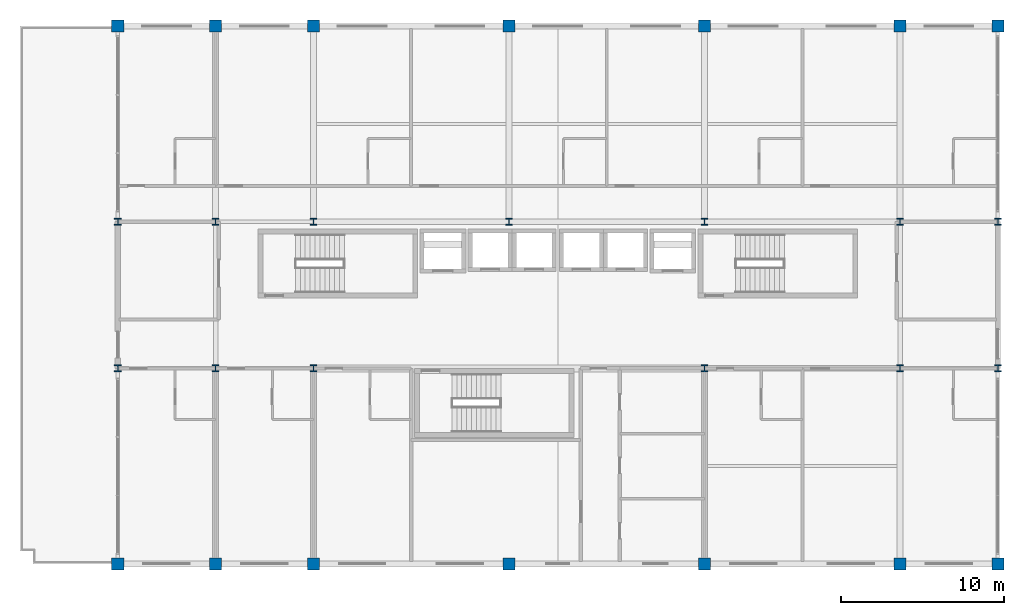
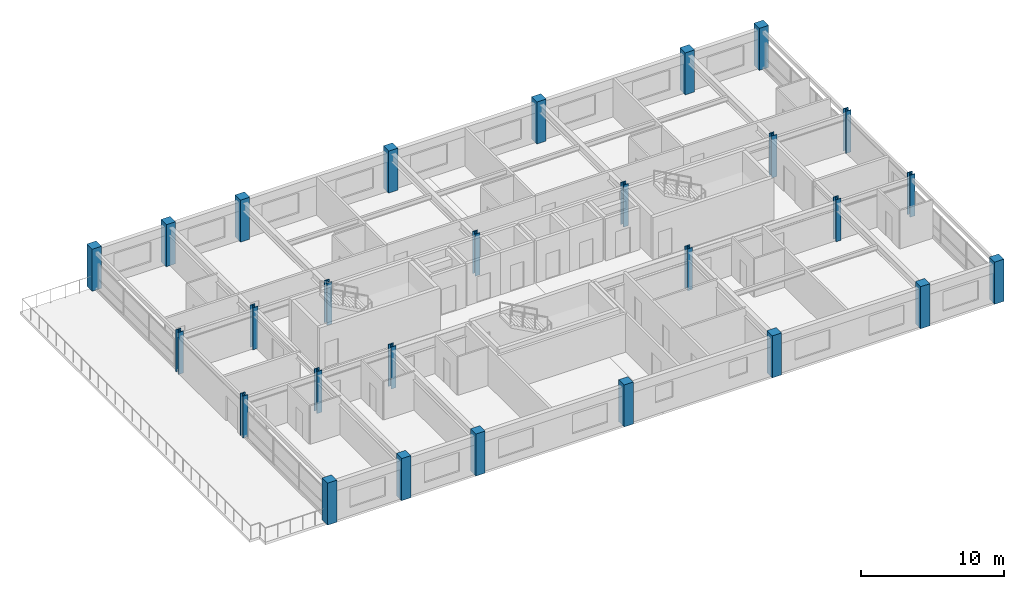
# One storey, part 1 of 21: 27 columns.
"""IFC4 building model written with IfcOpenShell, lengths in metres."""

import ifcopenshell
import ifcopenshell.guid

model = None  # the IFC model being written
_history = None  # IfcOwnerHistory: only IFC2X3 demands one
_inside = {}  # id of a spatial element -> (the spatial element, [elements in it])
_under = {}  # id of a project, library or spatial element -> (it, [spatial elements below it])
_declared = {}  # id of a project -> (the project, [libraries it declares])
_typed = {}  # id of a type object -> (the type object, [elements of that type])
_made_of = {}  # id of a material, layer set ... -> (it, [elements and type objects made of it])


def new_model(schema):
    """Start an empty IFC model of exactly this schema.

    Asked for "IFC4X3", IfcOpenShell would pick the latest addendum, in which some entities
    have other attributes; the version numbers below select the first issue.
    IFC2X3 requires an IfcOwnerHistory on every rooted entity: one is made here for all.
    """
    global model, _history
    if schema == "IFC4X3":
        model = ifcopenshell.file(schema_version=(4, 3, 0, 0))
    else:
        model = ifcopenshell.file(schema=schema)
    _inside.clear()
    _under.clear()
    _declared.clear()
    _typed.clear()
    _made_of.clear()
    _history = None
    if model.schema == "IFC2X3":
        org = make("IfcOrganization", Name="unknown")
        user = make(
            "IfcPersonAndOrganization",
            ThePerson=make("IfcPerson", FamilyName="unknown"),
            TheOrganization=org,
        )
        app = make(
            "IfcApplication",
            ApplicationDeveloper=org,
            Version="unknown",
            ApplicationFullName="unknown",
            ApplicationIdentifier="unknown",
        )
        _history = make(
            "IfcOwnerHistory",
            OwningUser=user,
            OwningApplication=app,
            ChangeAction="ADDED",
            CreationDate=0,
        )
    return model


def make(cls, **values):
    """One entity of the class cls with the attributes given. An attribute that is None is left unset."""
    return model.create_entity(
        cls, **{name: value for name, value in values.items() if value is not None}
    )


def rooted(cls, **values):
    """An entity with a GlobalId (a new one), such as an element, a storey or a relation."""
    return make(cls, GlobalId=ifcopenshell.guid.new(), OwnerHistory=_history, **values)


def si_unit(unit_type, name, prefix=None):
    """IfcSIUnit, for example si_unit("LENGTHUNIT", "METRE", prefix="MILLI")."""
    return make("IfcSIUnit", UnitType=unit_type, Prefix=prefix, Name=name)


def assignment(units):
    """IfcUnitAssignment: the units of a project."""
    return None if units is None else make("IfcUnitAssignment", Units=units)


def point(xyz):
    """IfcCartesianPoint."""
    return None if xyz is None else make("IfcCartesianPoint", Coordinates=xyz)


def direction(xyz):
    """IfcDirection."""
    return None if xyz is None else make("IfcDirection", DirectionRatios=xyz)


def frame(location, z_axis=None, x_axis=None):
    """IfcAxis2Placement3D, a coordinate frame: its origin and axes. An axis left out is left unset."""
    return make(
        "IfcAxis2Placement3D",
        Location=point(location),
        Axis=direction(z_axis),
        RefDirection=direction(x_axis),
    )


def frame_2d(location, x_axis=None):
    """IfcAxis2Placement2D, a coordinate frame in the plane: its origin and x axis."""
    return make(
        "IfcAxis2Placement2D", Location=point(location), RefDirection=direction(x_axis)
    )


def origin():
    """The frame at (0, 0, 0) with its axes left unset."""
    return frame((0.0, 0.0, 0.0))


def origin_2d():
    """The frame at (0, 0) in the plane with its x axis left unset."""
    return frame_2d((0.0, 0.0))


def place(relative_to, where):
    """IfcLocalPlacement: puts the frame where relative to a parent placement (None: the world)."""
    return make(
        "IfcLocalPlacement", PlacementRelTo=relative_to, RelativePlacement=where
    )


def context(
    kind, dimensions, precision=None, world=None, true_north=None, identifier=None
):
    """IfcGeometricRepresentationContext, for example the 3D "Model" context."""
    return make(
        "IfcGeometricRepresentationContext",
        ContextIdentifier=identifier,
        ContextType=kind,
        CoordinateSpaceDimension=dimensions,
        Precision=precision,
        WorldCoordinateSystem=world,
        TrueNorth=true_north,
    )


def subcontext(parent, identifier, kind, view, scale=None):
    """IfcGeometricRepresentationSubContext, for example "Body" below "Model"."""
    return make(
        "IfcGeometricRepresentationSubContext",
        ContextIdentifier=identifier,
        ContextType=kind,
        ParentContext=parent,
        TargetScale=scale,
        TargetView=view,
    )


def project(units=None, contexts=None):
    """IfcProject with its units and contexts."""
    return rooted(
        "IfcProject",
        Name="project",
        RepresentationContexts=contexts,
        UnitsInContext=assignment(units),
    )


def spatial(cls, under=None, at=None, **own):
    """A site, building, storey or space (cls), placed at a placement, below another one or the project."""
    s = rooted(cls, ObjectPlacement=at, **own)
    if under is not None:
        _under.setdefault(under.id(), (under, []))[1].append(s)
    return s


def profile(cls, at=None, kind="AREA", **sizes):
    """A parametric profile (cls). Its sizes go by their IFC names, for example OverallWidth=200.0."""
    return make(cls, ProfileType=kind, Position=at, **sizes)


def rectangle(**sizes):
    """IfcRectangleProfileDef."""
    return profile("IfcRectangleProfileDef", **sizes)


def i_section(**sizes):
    """IfcIShapeProfileDef."""
    return profile("IfcIShapeProfileDef", **sizes)


def extrude(swept, where, along, depth):
    """IfcExtrudedAreaSolid: the profile swept, set in the frame where, extruded along a direction by depth."""
    return make(
        "IfcExtrudedAreaSolid",
        SweptArea=swept,
        Position=where,
        ExtrudedDirection=direction(along),
        Depth=depth,
    )


def shape(context_of_items, identifier, shape_type, items):
    """IfcShapeRepresentation: the items that make up one representation, for example the "Body"."""
    return make(
        "IfcShapeRepresentation",
        ContextOfItems=context_of_items,
        RepresentationIdentifier=identifier,
        RepresentationType=shape_type,
        Items=items,
    )


def material(Name=None, Category=None):
    """IfcMaterial."""
    return make("IfcMaterial", Name=Name, Category=Category)


def material_profile(
    of_material, cross_section, Name=None, Category=None, Priority=None
):
    """IfcMaterialProfile: a cross section and its material."""
    return make(
        "IfcMaterialProfile",
        Name=Name,
        Material=of_material,
        Profile=cross_section,
        Priority=Priority,
        Category=Category,
    )


def profile_set(profiles, Name=None, composite=None):
    """IfcMaterialProfileSet."""
    return make(
        "IfcMaterialProfileSet",
        Name=Name,
        MaterialProfiles=profiles,
        CompositeProfile=composite,
    )


def made_of(thing, what):
    """Note that an element or type object is made of a material, layer set ...; save() writes the relation."""
    if what is not None:
        _made_of.setdefault(what.id(), (what, []))[1].append(thing)
    return thing


def type_object(cls, material=None, **own):
    """A type object (cls), such as IfcWallType, which elements share."""
    return made_of(rooted(cls, **own), material)


def element(
    cls,
    number,
    at=None,
    inside=None,
    cuts=None,
    type_object=None,
    material=None,
    context=None,
    identifier="Body",
    shape_type=None,
    held_by="IfcProductDefinitionShape",
    body=None,
    shapes=None,
    **own,
):
    """One element of the class cls, such as IfcWall. Its Tag is "e" and its number.

    at: its placement. inside: the storey or other place that contains it. cuts: it is an
    opening in that element (IfcRelVoidsElement). A single representation is given by context,
    identifier, shape_type and body (its items); several are given by shapes. held_by: the class
    of the entity that holds the representations. save() writes the other relations.
    """
    e = rooted(cls, Tag="e%d" % number, ObjectPlacement=at, **own)
    if body is not None:
        shapes = [shape(context, identifier, shape_type, body)]
    if shapes is not None:
        e.Representation = make(held_by, Representations=shapes)
    if inside is not None:
        _inside.setdefault(inside.id(), (inside, []))[1].append(e)
    if cuts is not None:
        rooted(
            "IfcRelVoidsElement", RelatingBuildingElement=cuts, RelatedOpeningElement=e
        )
    if type_object is not None:
        _typed.setdefault(type_object.id(), (type_object, []))[1].append(e)
    return made_of(e, material)


def aggregate(whole, parts):
    """IfcRelAggregates: a whole, such as a stair, and the parts it consists of."""
    return rooted("IfcRelAggregates", RelatingObject=whole, RelatedObjects=parts)


def save(model, path):
    """Write the relations noted so far, then the file.

    IfcRelAggregates (storeys below a building ...), IfcRelContainedInSpatialStructure (elements
    in a storey), IfcRelDefinesByType, IfcRelAssociatesMaterial and IfcRelDeclares: one each for
    every whole, place, type object, material and project.
    """
    for whole, parts in _under.values():
        aggregate(whole, parts)
    for where, things in _inside.values():
        rooted(
            "IfcRelContainedInSpatialStructure",
            RelatedElements=things,
            RelatingStructure=where,
        )
    for kind, things in _typed.values():
        rooted("IfcRelDefinesByType", RelatedObjects=things, RelatingType=kind)
    for what, things in _made_of.values():
        rooted("IfcRelAssociatesMaterial", RelatedObjects=things, RelatingMaterial=what)
    for by, libraries in _declared.values():
        rooted("IfcRelDeclares", RelatingContext=by, RelatedDefinitions=libraries)
    model.write(path)


model = new_model("IFC4")

# Units and contexts
model_context = context("Model", 3, precision=1e-05, world=origin(), true_north=direction((0.0, 1.0)))
body_context = subcontext(model_context, "Body", "Model", "MODEL_VIEW")
ifc_project = project(units=[si_unit("LENGTHUNIT", "METRE"), si_unit("AREAUNIT", "SQUARE_METRE"), si_unit("VOLUMEUNIT", "CUBIC_METRE"), si_unit("PLANEANGLEUNIT", "RADIAN"), si_unit("MASSUNIT", "GRAM", prefix="KILO")], contexts=[model_context])

# Site, building, storey
site_placement = place(None, origin())
site = spatial("IfcSite", under=ifc_project, at=site_placement, CompositionType="ELEMENT")
building_placement = place(site_placement, origin())
building = spatial("IfcBuilding", under=site, at=building_placement, Name="Kaldorvane Square Convention Centre", CompositionType="ELEMENT")
storey_placement = place(building_placement, frame((0.0, 0.0, 49.19999694824219)))
storey = spatial("IfcBuildingStorey", under=building, at=storey_placement, Name="L11", CompositionType="ELEMENT", Elevation=49.19999694824219)

# Columns
ifc_material_1 = material(Name="Concrete f'c = 42 MPa (Normalweight)", Category="concrete")
ifc_material_profile_1 = material_profile(ifc_material_1, rectangle(XDim=0.75, YDim=0.75, at=origin_2d()), Name="RC750X750")
ifc_profile_set_1 = profile_set([ifc_material_profile_1], Name="Concrete f'c = 42 MPa (Normalweight)")
column_type_1 = type_object("IfcColumnType", Name="COL-RC-750", PredefinedType="COLUMN", material=ifc_profile_set_1)
for number, where, z_axis, x_axis, name in (
    (1, (30.0, 84.0, 0.0), (0.0, 0.0, 1.0), (1.0, 0.0, 0.0), "Column CC-05 (L11)"),
    (2, (30.0, 117.0, 0.0), (0.0, 0.0, 1.0), (1.0, 0.0, 0.0), "Column CC-05 (L11)"),
    (3, (36.0, 84.0, 0.0), (0.0, 0.0, 1.0), (1.0, 0.0, 0.0), "Column CC-05 (L11)"),
    (4, (36.0, 117.0, 0.0), (0.0, 0.0, 1.0), (1.0, 0.0, 0.0), "Column CC-05 (L11)"),
    (5, (42.0, 84.0, 0.0), (0.0, 0.0, 1.0), (1.0, 0.0, 0.0), "Column CC-05 (L11)"),
    (6, (42.0, 117.0, 0.0), (0.0, 0.0, 1.0), (1.0, 0.0, 0.0), "Column CC-05 (L11)"),
    (7, (54.0, 84.0, 0.0), (0.0, 0.0, 1.0), (1.0, 0.0, 0.0), "Column CC-05 (L11)"),
    (8, (54.0, 117.0, 0.0), (0.0, 0.0, 1.0), (1.0, 0.0, 0.0), "Column CC-05 (L11)"),
    (9, (66.0, 84.0, 0.0), (0.0, 0.0, 1.0), (1.0, 0.0, 0.0), "Column CC-05 (L11)"),
    (10, (66.0, 117.0, 0.0), (0.0, 0.0, 1.0), (1.0, 0.0, 0.0), "Column CC-05 (L11)"),
    (11, (78.0, 84.0, 0.0), (0.0, 0.0, 1.0), (1.0, 0.0, 0.0), "Column CC-05 (L11)"),
    (12, (78.0, 117.0, 0.0), (0.0, 0.0, 1.0), (1.0, 0.0, 0.0), "Column CC-05 (L11)"),
    (13, (84.0, 84.0, 0.0), (0.0, 0.0, 1.0), (1.0, 0.0, 0.0), "Column CC-05 (L11)"),
    (14, (84.0, 117.0, 0.0), (0.0, 0.0, 1.0), (1.0, 0.0, 0.0), "Column CC-05 (L11)"),
):
    element("IfcColumn", number, at=place(storey_placement, frame(where, z_axis=z_axis, x_axis=x_axis)), inside=storey, type_object=column_type_1, Name=name, PredefinedType="COLUMN", context=body_context, shape_type="SweptSolid", body=[
        extrude(rectangle(XDim=0.75, YDim=0.75, at=origin_2d()), origin(), (0.0, 0.0, 1.0), 3.600006103515625),
    ])
ifc_material_2 = material(Name="Steel ASTM A992 Gr. 50", Category="steel")
ifc_material_profile_2 = material_profile(ifc_material_2, i_section(OverallWidth=0.4062957763671875, OverallDepth=0.416107177734375, WebThickness=0.0298004150390625, FlangeThickness=0.048004150390625, FilletRadius=0.0305023193359375, at=origin_2d()), Name="W14X257")
ifc_profile_set_2 = profile_set([ifc_material_profile_2], Name="Steel ASTM A992 Gr. 50")
column_type_2 = type_object("IfcColumnType", Name="COL-STL-257", PredefinedType="COLUMN", material=ifc_profile_set_2)
for number, where, z_axis, x_axis, name in (
    (15, (30.0, 96.0, 0.0), (0.0, 0.0, 1.0), (1.0, 0.0, 0.0), "Column SC-07 (L11)"),
    (16, (30.0, 105.0, 0.0), (0.0, 0.0, 1.0), (1.0, 0.0, 0.0), "Column SC-07 (L11)"),
    (17, (36.0, 96.0, 0.0), (0.0, 0.0, 1.0), (1.0, 0.0, 0.0), "Column SC-07 (L11)"),
    (18, (36.0, 105.0, 0.0), (0.0, 0.0, 1.0), (1.0, 0.0, 0.0), "Column SC-07 (L11)"),
    (19, (42.0, 96.0, 0.0), (0.0, 0.0, 1.0), (1.0, 0.0, 0.0), "Column SC-07 (L11)"),
    (20, (42.0, 105.0, 0.0), (0.0, 0.0, 1.0), (1.0, 0.0, 0.0), "Column SC-07 (L11)"),
    (21, (54.0, 105.0, 0.0), (0.0, 0.0, 1.0), (1.0, 0.0, 0.0), "Column SC-07 (L11)"),
    (22, (66.0, 96.0, 0.0), (0.0, 0.0, 1.0), (1.0, 0.0, 0.0), "Column SC-07 (L11)"),
    (23, (66.0, 105.0, 0.0), (0.0, 0.0, 1.0), (1.0, 0.0, 0.0), "Column SC-07 (L11)"),
    (24, (78.0, 96.0, 0.0), (0.0, 0.0, 1.0), (1.0, 0.0, 0.0), "Column SC-07 (L11)"),
    (25, (78.0, 105.0, 0.0), (0.0, 0.0, 1.0), (1.0, 0.0, 0.0), "Column SC-07 (L11)"),
    (26, (84.0, 96.0, 0.0), (0.0, 0.0, 1.0), (1.0, 0.0, 0.0), "Column SC-07 (L11)"),
    (27, (84.0, 105.0, 0.0), (0.0, 0.0, 1.0), (1.0, 0.0, 0.0), "Column SC-07 (L11)"),
):
    element("IfcColumn", number, at=place(storey_placement, frame(where, z_axis=z_axis, x_axis=x_axis)), inside=storey, type_object=column_type_2, Name=name, PredefinedType="COLUMN", context=body_context, shape_type="SweptSolid", body=[
        extrude(i_section(OverallWidth=0.4062957763671875, OverallDepth=0.416107177734375, WebThickness=0.0298004150390625, FlangeThickness=0.048004150390625, FilletRadius=0.0305023193359375, at=origin_2d()), origin(), (0.0, 0.0, 1.0), 3.600006103515625),
    ])

save(model, "model.ifc")
